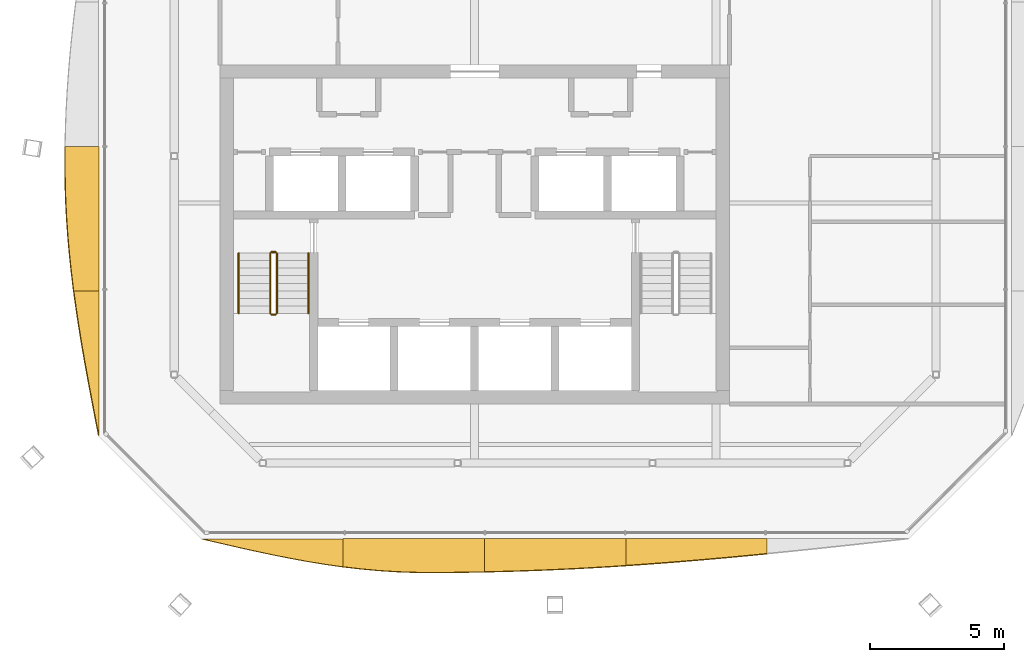
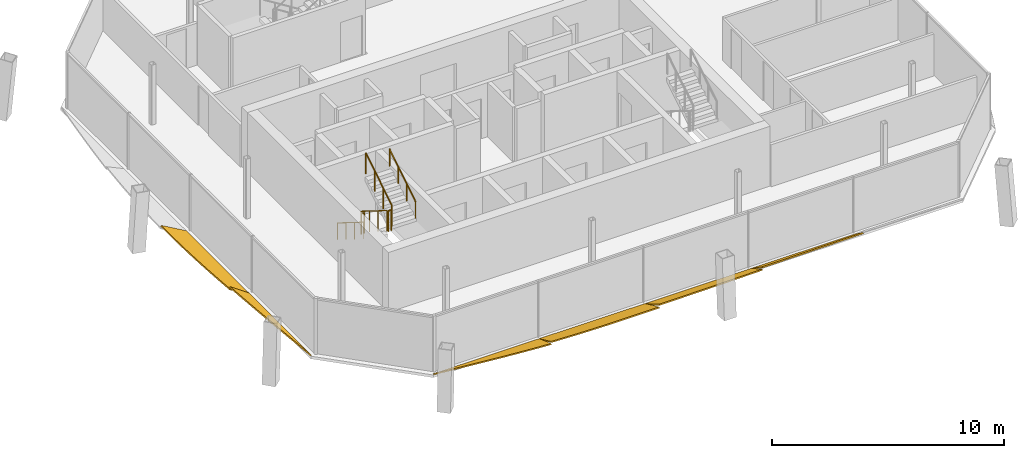
# One storey, part 13 of 16: 6 railings, 6 shading devices.
"""IFC4 building model written with IfcOpenShell, lengths in metres."""

from ifc_helpers import new_model, si_unit, direction, frame, origin, origin_2d, place, context, subcontext, project, spatial, polyline, circle, outline, extrude, material, layer, layer_set, type_object, element, save


model = new_model("IFC4")

# Units and contexts
model_context = context("Model", 3, precision=1e-05, world=origin(), true_north=direction((0.0, 1.0)))
body_context = subcontext(model_context, "Body", "Model", "MODEL_VIEW")
ifc_project = project(units=[si_unit("LENGTHUNIT", "METRE"), si_unit("AREAUNIT", "SQUARE_METRE"), si_unit("VOLUMEUNIT", "CUBIC_METRE"), si_unit("PLANEANGLEUNIT", "RADIAN"), si_unit("MASSUNIT", "GRAM", prefix="KILO")], contexts=[model_context])

# Site, building, storey
site_placement = place(None, origin())
site = spatial("IfcSite", under=ifc_project, at=site_placement, CompositionType="ELEMENT")
building_placement = place(site_placement, origin())
building = spatial("IfcBuilding", under=site, at=building_placement, Name="Tskaro Facet Tower", CompositionType="ELEMENT")
storey_placement = place(building_placement, frame((0.0, 0.0, 265.800048828125)))
storey = spatial("IfcBuildingStorey", under=building, at=storey_placement, Name="L70", CompositionType="ELEMENT", Elevation=265.800048828125)

# Shading devices
ifc_material_1 = material(Name="Bronze anodised aluminium 6063-T6", Category="aluminium")
ifc_layer = layer(ifc_material_1, 0.06005859375, Name="Bronze anodised aluminium 6063-T6")
ifc_layer_set = layer_set([ifc_layer], Name="Bronze anodised aluminium 6063-T6")
shading_device_type = type_object("IfcShadingDeviceType", Name="Bronze sun blade (FN1)", PredefinedType="USERDEFINED", material=ifc_layer_set)
shading_device_1_placement = place(storey_placement, frame((-10.174072265625, -17.0224609375, 0.056396484375), z_axis=(-2.114145e-06, 0.341931530029, 0.939724868654), x_axis=(0.999999999998, 7.22893e-07, 1.986715e-06)))
element("IfcShadingDevice", 1, at=shading_device_1_placement, inside=storey, type_object=shading_device_type, Name="Fin blade south 1", ObjectType="FIN", PredefinedType="USERDEFINED", context=body_context, shape_type="SweptSolid", body=[
    extrude(outline(polyline([(0.0, 0.0), (5.269775390613224, 0.0), (5.269775390626955, -1.1116870374115164), (4.611083984376407, -1.0124430475431263), (3.95239257835283, -0.8979099147593652), (3.293457031004362, -0.7700065185717766), (2.6347656251237512, -0.630297380951413), (1.9760742188061633, -0.4811602314433416), (1.31738281240336, -0.32499381270821365), (0.658691406135043, -0.16365453799570814), (0.0, 0.0)])), origin(), (0.0, 0.0, -1.0), 0.06005859375),
])
shading_device_2_placement = place(storey_placement, frame((-4.904296875, -17.017578125, 0.054443359375), z_axis=(-1.8183841e-05, 0.422521863107, 0.906352732034), x_axis=(0.999999999835, 7.68307e-06, 1.6480974e-05)))
element("IfcShadingDevice", 2, at=shading_device_2_placement, inside=storey, type_object=shading_device_type, Name="Fin blade south 2", ObjectType="FIN", PredefinedType="USERDEFINED", context=body_context, shape_type="SweptSolid", body=[
    extrude(outline(polyline([(0.0, 0.0), (5.26953124912881, 0.0), (5.2695312515615615, -1.3627850457405997), (4.61083984363316, -1.3751300615626656), (3.952148437551024, -1.3832125537623723), (3.293457029019305, -1.3863836577912036), (3.1616210915411007, -1.3863836577912036), (2.6347656255115153, -1.3797170174592828), (1.9760742178326358, -1.3527409918763431), (1.3173828118820914, -1.305337458271631), (0.6586914060563086, -1.2382734039644159), (-9.761104089657416e-10, -1.1528615260707318), (0.0, 0.0)])), origin(), (0.0, 0.0, -1.0), 0.06005859375),
])
shading_device_3_placement = place(storey_placement, frame((0.365234375, -17.012939453125, 0.052001953125), z_axis=(-9.417837e-06, 0.499913952193, 0.866075077758), x_axis=(0.999999999956, 4.708108e-06, 8.156554e-06)))
element("IfcShadingDevice", 3, at=shading_device_3_placement, inside=storey, type_object=shading_device_type, Name="Fin blade south 3", ObjectType="FIN", PredefinedType="USERDEFINED", context=body_context, shape_type="SweptSolid", body=[
    extrude(outline(polyline([(0.0, 0.0), (5.269531249766308, 0.0), (5.269531250496116, -1.1577798645540358), (4.610839842565399, -1.2064425768900064), (3.952148437094961, -1.2507457890154134), (3.293457030636478, -1.2913238332626273), (2.634765625796368, -1.3272088838837472), (1.976074219126309, -1.359035273211144), (1.3173828120832753, -1.3860466196077064), (0.6586914066586147, -1.4083649723781748), (-2.8846054957179447e-10, -1.4260797263285998), (0.0, 0.0)])), origin(), (0.0, 0.0, -1.0), 0.06005859375),
])
shading_device_4_placement = place(storey_placement, frame((5.634765625, -17.008544921875, 0.049072265625), z_axis=(4.082828e-06, 0.573621582154, 0.819120430993), x_axis=(0.999999999992, -2.341998e-06, -3.344328e-06)))
element("IfcShadingDevice", 4, at=shading_device_4_placement, inside=storey, type_object=shading_device_type, Name="Fin blade south 4", ObjectType="FIN", PredefinedType="USERDEFINED", context=body_context, shape_type="SweptSolid", body=[
    extrude(outline(polyline([(0.0, 0.0), (5.2695312499560805, 0.0), (5.269531250335354, -0.6836666332180288), (4.610839843662919, -0.7618297006104168), (3.952148437315188, -0.8375526574215173), (3.2934570309650906, -0.9102954981717997), (2.634765625429115, -0.9799181785296818), (1.9760742185025104, -1.046500806584353), (1.3173828126347369, -1.1096232493410676), (0.6586914061104626, -1.1686855650779022), (7.324208208377364e-11, -1.2240877149428058), (0.0, 0.0)])), origin(), (0.0, 0.0, -1.0), 0.06005859375),
])
shading_device_5_placement = place(storey_placement, frame((-14.012939453125, -2.3916015625, 0.052001953125), z_axis=(0.4999207743, 4.996679e-06, 0.866071139918), x_axis=(2.497944e-06, -0.999999999988, 4.327479e-06)))
element("IfcShadingDevice", 5, at=shading_device_5_placement, inside=storey, type_object=shading_device_type, Name="Fin blade west 3", ObjectType="FIN", PredefinedType="USERDEFINED", context=body_context, shape_type="SweptSolid", body=[
    extrude(outline(polyline([(0.0, 0.0), (5.391113281182701, 0.0), (5.391113280886421, -1.0759567887948553), (4.7172851562325, -1.1715580066170683), (4.043457031552455, -1.2544709574889041), (3.369384764881297, -1.3236951590513042), (2.6955566409649325, -1.3785068896769714), (2.0217285155621587, -1.4182065023353514), (1.3476562503241918, -1.4424931616979402), (0.6738281249978482, -1.4509113226747616), (0.6467285156231865, -1.4509113226747616), (-4.749123905786257e-10, -1.4452178480433542), (0.0, 0.0)])), origin(), (0.0, 0.0, -1.0), 0.06005859375),
])
shading_device_6_placement = place(storey_placement, frame((-14.008544921875, -7.78271484375, 0.049072265625), z_axis=(0.573582744546, -8.321323e-06, 0.819147627165), x_axis=(-4.772967e-06, -0.999999999965, -6.816392e-06)))
element("IfcShadingDevice", 6, at=shading_device_6_placement, inside=storey, type_object=shading_device_type, Name="Fin blade west 4", ObjectType="FIN", PredefinedType="USERDEFINED", context=body_context, shape_type="SweptSolid", body=[
    extrude(outline(polyline([(0.0, 0.0), (5.3913574216883395, -4.5666573667521275e-21), (4.7172851561159845, -0.16004623724597822), (4.043457031332486, -0.3179923897475273), (3.3696289053800674, -0.4727584389504712), (2.6955566406270353, -0.6223042524743037), (2.0217285146600377, -0.7651498373375081), (1.3479003910126561, -0.8994550483732482), (0.6738281260629567, -1.0242799018770958), (-4.393713102349397e-10, -1.1376643479543689), (0.0, 0.0)])), origin(), (0.0, 0.0, -1.0), 0.06005859375),
])

# Railings
ifc_material_2 = material(Name="Stainless steel", Category="steel")
railing_type_1 = type_object("IfcRailingType", Name="RL-GUARD-1100", PredefinedType="GUARDRAIL", material=ifc_material_2)
railing_1_placement = place(storey_placement, frame((-7.625, -6.375, 0.175048828125)))
element("IfcRailing", 7, at=railing_1_placement, inside=storey, type_object=railing_type_1, Name="L70 ST-1 stair guard 1", PredefinedType="GUARDRAIL", context=body_context, shape_type="SweptSolid", body=[
    extrude(circle(Radius=0.02392578125, at=origin_2d()), frame((0.0, 0.0, 1.076171875), z_axis=(0.0, -0.848013881152, 0.529974015752), x_axis=(1.0, 0.0, 0.0)), (0.0, 0.0, 1.0), 2.641357421875),
    extrude(circle(Radius=0.02099609375, at=origin_2d()), origin(), (0.0, 0.0, 1.0), 1.052001953125),
    extrude(circle(Radius=0.02099609375, at=origin_2d()), frame((0.0, -0.74658203125, 0.466552734375)), (0.0, 0.0, 1.0), 1.052001953125),
    extrude(circle(Radius=0.02099609375, at=origin_2d()), frame((0.0, -1.493408203125, 0.933349609375)), (0.0, 0.0, 1.0), 1.052001953125),
    extrude(circle(Radius=0.02099609375, at=origin_2d()), frame((0.0, -2.239990234375, 1.39990234375)), (0.0, 0.0, 1.0), 1.052001953125),
])
railing_2_placement = place(storey_placement, frame((-7.574951171875, -8.6650390625, 1.574951171875)))
element("IfcRailing", 8, at=railing_2_placement, inside=storey, type_object=railing_type_1, Name="L70 ST-1 stair guard 2", PredefinedType="GUARDRAIL", context=body_context, shape_type="SweptSolid", body=[
    extrude(circle(Radius=0.02392578125, at=origin_2d()), frame((0.0, 0.0, 1.076171875), z_axis=(1.0, 0.0, 0.0), x_axis=(0.0, 1.0, 0.0)), (0.0, 0.0, 1.0), 0.14990234375),
    extrude(circle(Radius=0.02099609375, at=origin_2d()), origin(), (0.0, 0.0, 1.0), 1.052001953125),
    extrude(circle(Radius=0.02099609375, at=origin_2d()), frame((0.14990234375, 0.0, 0.0)), (0.0, 0.0, 1.0), 1.052001953125),
])
railing_3_placement = place(storey_placement, frame((-7.375, -8.614990234375, 1.75)))
element("IfcRailing", 9, at=railing_3_placement, inside=storey, type_object=railing_type_1, Name="L70 ST-1 stair guard 3", PredefinedType="GUARDRAIL", context=body_context, shape_type="SweptSolid", body=[
    extrude(circle(Radius=0.02392578125, at=origin_2d()), frame((0.0, 0.0, 1.076171875), z_axis=(0.0, 0.848013881152, 0.529974015752), x_axis=(-1.0, 0.0, 0.0)), (0.0, 0.0, 1.0), 2.641357421875),
    extrude(circle(Radius=0.02099609375, at=origin_2d()), origin(), (0.0, 0.0, 1.0), 1.052001953125),
    extrude(circle(Radius=0.02099609375, at=origin_2d()), frame((0.0, 0.74658203125, 0.466552734375)), (0.0, 0.0, 1.0), 1.052001953125),
    extrude(circle(Radius=0.02099609375, at=origin_2d()), frame((0.0, 1.493408203125, 0.933349609375)), (0.0, 0.0, 1.0), 1.052001953125),
    extrude(circle(Radius=0.02099609375, at=origin_2d()), frame((0.0, 2.239990234375, 1.39990234375)), (0.0, 0.0, 1.0), 1.052001953125),
])
railing_4_placement = place(storey_placement, frame((-7.574951171875, -6.324951171875, 0.0)))
element("IfcRailing", 10, at=railing_4_placement, inside=storey, type_object=railing_type_1, Name="L70 ST-1 stair guard 4", PredefinedType="GUARDRAIL", context=body_context, shape_type="SweptSolid", body=[
    extrude(circle(Radius=0.02392578125, at=origin_2d()), frame((0.0, 0.0, 1.076171875), z_axis=(1.0, 0.0, 0.0), x_axis=(0.0, 1.0, 0.0)), (0.0, 0.0, 1.0), 0.14990234375),
    extrude(circle(Radius=0.02099609375, at=origin_2d()), origin(), (0.0, 0.0, 1.0), 1.052001953125),
    extrude(circle(Radius=0.02099609375, at=origin_2d()), frame((0.14990234375, 0.0, 0.0)), (0.0, 0.0, 1.0), 1.052001953125),
])
railing_type_2 = type_object("IfcRailingType", Name="RL-HANDRAIL-900", PredefinedType="HANDRAIL", material=ifc_material_2)
railing_5_placement = place(storey_placement, frame((-8.800048828125, -6.375, 0.175048828125)))
element("IfcRailing", 11, at=railing_5_placement, inside=storey, type_object=railing_type_2, Name="L70 ST-1 stair handrail 1", PredefinedType="HANDRAIL", context=body_context, shape_type="SweptSolid", body=[
    extrude(circle(Radius=0.02392578125, at=origin_2d()), frame((0.0, 0.0, 0.8759765625), z_axis=(0.0, -0.848013881152, 0.529974015752), x_axis=(1.0, 0.0, 0.0)), (0.0, 0.0, 1.0), 2.641357421875),
    extrude(circle(Radius=0.02099609375, at=origin_2d()), origin(), (0.0, 0.0, 1.0), 0.851806640625),
    extrude(circle(Radius=0.02099609375, at=origin_2d()), frame((0.0, -0.74658203125, 0.466552734375)), (0.0, 0.0, 1.0), 0.851806640625),
    extrude(circle(Radius=0.02099609375, at=origin_2d()), frame((0.0, -1.493408203125, 0.933349609375)), (0.0, 0.0, 1.0), 0.851806640625),
    extrude(circle(Radius=0.02099609375, at=origin_2d()), frame((0.0, -2.239990234375, 1.39990234375)), (0.0, 0.0, 1.0), 0.851806640625),
])
railing_6_placement = place(storey_placement, frame((-6.199951171875, -8.614990234375, 1.75)))
element("IfcRailing", 12, at=railing_6_placement, inside=storey, type_object=railing_type_2, Name="L70 ST-1 stair handrail 2", PredefinedType="HANDRAIL", context=body_context, shape_type="SweptSolid", body=[
    extrude(circle(Radius=0.02392578125, at=origin_2d()), frame((0.0, 0.0, 0.8759765625), z_axis=(0.0, 0.848013881152, 0.529974015752), x_axis=(-1.0, 0.0, 0.0)), (0.0, 0.0, 1.0), 2.641357421875),
    extrude(circle(Radius=0.02099609375, at=origin_2d()), origin(), (0.0, 0.0, 1.0), 0.851806640625),
    extrude(circle(Radius=0.02099609375, at=origin_2d()), frame((0.0, 0.74658203125, 0.466552734375)), (0.0, 0.0, 1.0), 0.851806640625),
    extrude(circle(Radius=0.02099609375, at=origin_2d()), frame((0.0, 1.493408203125, 0.933349609375)), (0.0, 0.0, 1.0), 0.851806640625),
    extrude(circle(Radius=0.02099609375, at=origin_2d()), frame((0.0, 2.239990234375, 1.39990234375)), (0.0, 0.0, 1.0), 0.851806640625),
])

save(model, "model.ifc")
